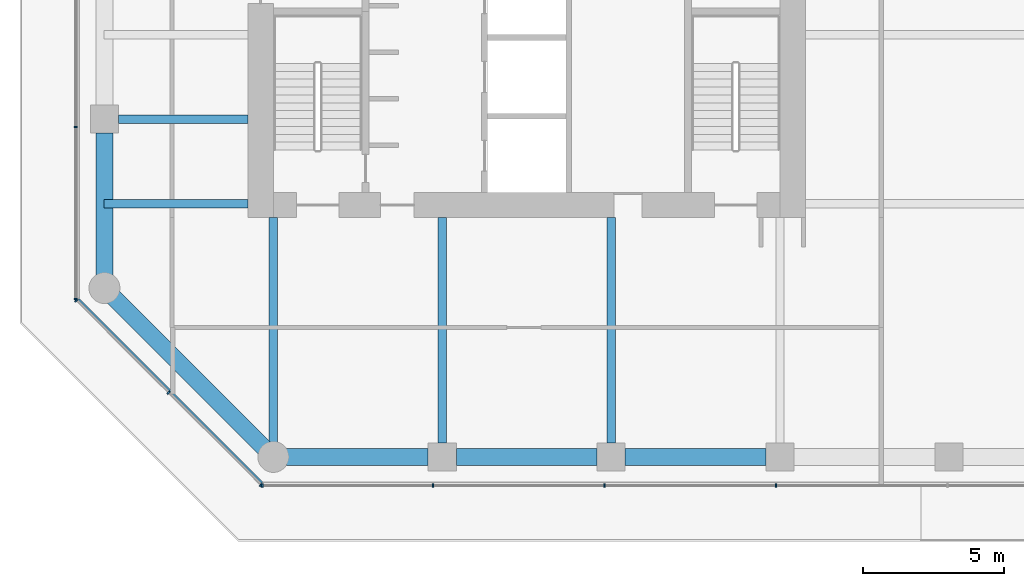
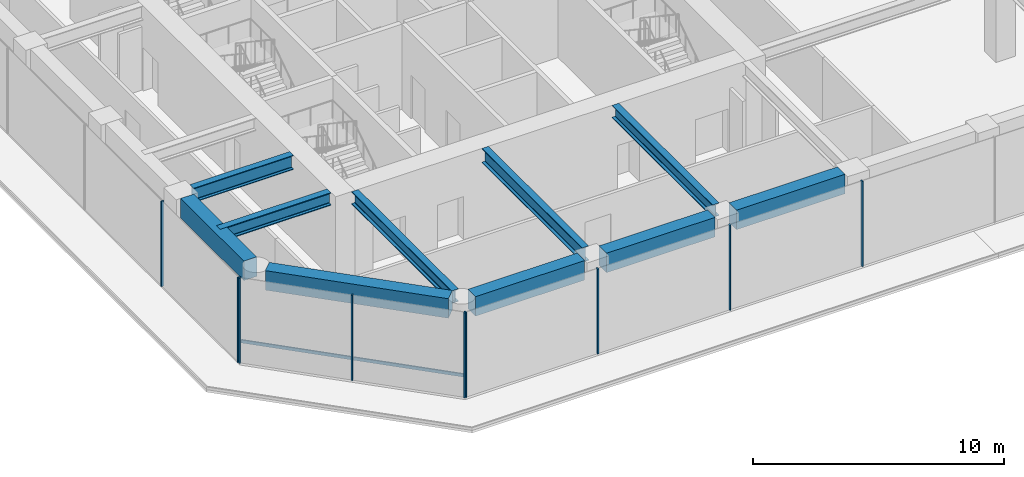
# One storey, part 2 of 24: 10 beams, 10 members, 3 elements without a shape of their own.
"""IFC4 building model written with IfcOpenShell, lengths in metres."""

from ifc_helpers import new_model, si_unit, direction, frame, origin, origin_2d, place, context, subcontext, project, spatial, rectangle, i_section, extrude, material, layer, layer_set, material_profile, profile_set, type_object, element, aggregate, save


model = new_model("IFC4")

# Units and contexts
model_context = context("Model", 3, precision=1e-05, world=origin(), true_north=direction((0.0, 1.0)))
body_context = subcontext(model_context, "Body", "Model", "MODEL_VIEW")
ifc_project = project(units=[si_unit("LENGTHUNIT", "METRE"), si_unit("AREAUNIT", "SQUARE_METRE"), si_unit("VOLUMEUNIT", "CUBIC_METRE"), si_unit("PLANEANGLEUNIT", "RADIAN"), si_unit("MASSUNIT", "GRAM", prefix="KILO")], contexts=[model_context])

# Site, building, storey
site_placement = place(None, origin())
site = spatial("IfcSite", under=ifc_project, at=site_placement, CompositionType="ELEMENT")
building_placement = place(site_placement, origin())
building = spatial("IfcBuilding", under=site, at=building_placement, Name="Welwitschia Terrace Campus", CompositionType="ELEMENT")
storey_placement = place(building_placement, frame((0.0, 0.0, 15.5)))
storey = spatial("IfcBuildingStorey", under=building, at=storey_placement, Name="L03", CompositionType="ELEMENT", Elevation=15.5)

# Beams
ifc_material_1 = material(Name="Steel S355", Category="steel")
ifc_material_profile_1 = material_profile(ifc_material_1, i_section(OverallWidth=0.304931640625, OverallDepth=0.6201171875, WebThickness=0.02099609375, FlangeThickness=0.0400390625, FilletRadius=0.027099609375, at=origin_2d()))
ifc_profile_set_1 = profile_set([ifc_material_profile_1], Name="Steel S355")
beam_type_1 = type_object("IfcBeamType", Name="Interior girder HE 600 M", PredefinedType="BEAM", material=ifc_profile_set_1)
beam_1_placement = place(storey_placement, frame((-0.010009765625, 5.0, 3.840087890625), z_axis=(1.0, 0.0, 0.0), x_axis=(0.0, 1.0, 0.0)))
element("IfcBeam", 1, at=beam_1_placement, inside=storey, type_object=beam_type_1, Name="Girder GB1", PredefinedType="BEAM", context=body_context, shape_type="SweptSolid", body=[
    extrude(i_section(OverallWidth=0.304931640625, OverallDepth=0.6201171875, WebThickness=0.02099609375, FlangeThickness=0.0400390625, FilletRadius=0.027099609375, at=origin_2d()), origin(), (0.0, 0.0, 1.0), 5.109130859375),
])
beam_2_placement = place(storey_placement, frame((6.0, -3.48095703125, 3.840087890625), z_axis=(0.0, 1.0, 0.0), x_axis=(-1.0, 0.0, 0.0)))
element("IfcBeam", 2, at=beam_2_placement, inside=storey, type_object=beam_type_1, Name="Girder GB1", PredefinedType="BEAM", context=body_context, shape_type="SweptSolid", body=[
    extrude(i_section(OverallWidth=0.304931640625, OverallDepth=0.6201171875, WebThickness=0.02099609375, FlangeThickness=0.0400390625, FilletRadius=0.027099609375, at=origin_2d()), origin(), (0.0, 0.0, 1.0), 7.97998046875),
])
beam_3_placement = place(storey_placement, frame((18.0, -3.509521484375, 3.840087890625), z_axis=(0.0, 1.0, 0.0), x_axis=(-1.0, 0.0, 0.0)))
element("IfcBeam", 3, at=beam_3_placement, inside=storey, type_object=beam_type_1, Name="Girder GB1", PredefinedType="BEAM", context=body_context, shape_type="SweptSolid", body=[
    extrude(i_section(OverallWidth=0.304931640625, OverallDepth=0.6201171875, WebThickness=0.02099609375, FlangeThickness=0.0400390625, FilletRadius=0.027099609375, at=origin_2d()), origin(), (0.0, 0.0, 1.0), 8.008544921875),
])

# Curtain wall, members
ifc_material_2 = material(Name="Bronze anodised aluminium", Category="aluminium")
ifc_layer = layer(ifc_material_2, 0.1201171875)
ifc_layer_set = layer_set([ifc_layer], Name="Bronze anodised aluminium")
curtain_wall_type = type_object("IfcCurtainWallType", Name="Curtain wall CW2 tower 6000", PredefinedType="NOTDEFINED", material=ifc_layer_set)
curtain_wall_1_placement = place(storey_placement, origin())
curtain_wall_1 = element("IfcCurtainWall", 4, at=curtain_wall_1_placement, inside=storey, type_object=curtain_wall_type, Name="CW L03.0.0", PredefinedType="NOTDEFINED")
ifc_material_3 = material(Name="Bronze anodised aluminium", Category="aluminium")
ifc_material_profile_2 = material_profile(ifc_material_3, rectangle(XDim=0.1201171875, YDim=0.06005859375, at=origin_2d()))
ifc_profile_set_2 = profile_set([ifc_material_profile_2], Name="Bronze anodised aluminium")
member_type_1 = type_object("IfcMemberType", Name="Mullion 60x120", PredefinedType="MULLION", material=ifc_profile_set_2)
member_1_placement = place(storey_placement, frame((-0.998779296875, 1.556396484375, 0.0), z_axis=(0.0, 0.0, 1.0), x_axis=(0.707106781187, 0.707106781187, 0.0)))
member_1 = element("IfcMember", 5, at=member_1_placement, type_object=member_type_1, Name="Mullion L03.0.0.0", PredefinedType="MULLION", context=body_context, shape_type="SweptSolid", body=[
    extrude(rectangle(XDim=0.1201171875, YDim=0.06005859375, at=origin_2d()), origin(), (0.0, 0.0, 1.0), 4.14990234375),
])
member_2_placement = place(storey_placement, frame((2.27880859375, -1.72119140625, 0.0), z_axis=(0.0, 0.0, 1.0), x_axis=(0.707106781187, 0.707106781187, 0.0)))
member_2 = element("IfcMember", 6, at=member_2_placement, type_object=member_type_1, Name="Mullion L03.0.0.1", PredefinedType="MULLION", context=body_context, shape_type="SweptSolid", body=[
    extrude(rectangle(XDim=0.1201171875, YDim=0.06005859375, at=origin_2d()), origin(), (0.0, 0.0, 1.0), 4.14990234375),
])
member_3_placement = place(storey_placement, frame((5.556396484375, -4.998779296875, 0.0), z_axis=(0.0, 0.0, 1.0), x_axis=(0.707106781187, 0.707106781187, 0.0)))
member_3 = element("IfcMember", 7, at=member_3_placement, type_object=member_type_1, Name="Mullion L03.0.0.2", PredefinedType="MULLION", context=body_context, shape_type="SweptSolid", body=[
    extrude(rectangle(XDim=0.1201171875, YDim=0.06005859375, at=origin_2d()), origin(), (0.0, 0.0, 1.0), 4.14990234375),
])

curtain_wall_2_placement = place(storey_placement, origin())
curtain_wall_2 = element("IfcCurtainWall", 8, at=curtain_wall_2_placement, inside=storey, type_object=curtain_wall_type, Name="CW L03.1.0", PredefinedType="NOTDEFINED")
member_4_placement = place(storey_placement, frame((5.607421875, -5.02001953125, 0.0), z_axis=(0.0, 0.0, 1.0), x_axis=(0.0, 1.0, 0.0)))
member_4 = element("IfcMember", 9, at=member_4_placement, type_object=member_type_1, Name="Mullion L03.1.0.0", PredefinedType="MULLION", context=body_context, shape_type="SweptSolid", body=[
    extrude(rectangle(XDim=0.1201171875, YDim=0.06005859375, at=origin_2d()), origin(), (0.0, 0.0, 1.0), 4.14990234375),
])
member_5_placement = place(storey_placement, frame((11.67138671875, -5.02001953125, 0.0), z_axis=(0.0, 0.0, 1.0), x_axis=(0.0, 1.0, 0.0)))
member_5 = element("IfcMember", 10, at=member_5_placement, type_object=member_type_1, Name="Mullion L03.1.0.1", PredefinedType="MULLION", context=body_context, shape_type="SweptSolid", body=[
    extrude(rectangle(XDim=0.1201171875, YDim=0.06005859375, at=origin_2d()), origin(), (0.0, 0.0, 1.0), 4.14990234375),
])
member_6_placement = place(storey_placement, frame((17.765380859375, -5.02001953125, 0.0), z_axis=(0.0, 0.0, 1.0), x_axis=(0.0, 1.0, 0.0)))
member_6 = element("IfcMember", 11, at=member_6_placement, type_object=member_type_1, Name="Mullion L03.1.0.2", PredefinedType="MULLION", context=body_context, shape_type="SweptSolid", body=[
    extrude(rectangle(XDim=0.1201171875, YDim=0.06005859375, at=origin_2d()), origin(), (0.0, 0.0, 1.0), 4.14990234375),
])
member_7_placement = place(storey_placement, frame((23.859130859375, -5.02001953125, 0.0), z_axis=(0.0, 0.0, 1.0), x_axis=(0.0, 1.0, 0.0)))
member_7 = element("IfcMember", 12, at=member_7_placement, type_object=member_type_1, Name="Mullion L03.1.0.3", PredefinedType="MULLION", context=body_context, shape_type="SweptSolid", body=[
    extrude(rectangle(XDim=0.1201171875, YDim=0.06005859375, at=origin_2d()), origin(), (0.0, 0.0, 1.0), 4.14990234375),
])
aggregate(curtain_wall_2, [member_4, member_5, member_6, member_7])

curtain_wall_3_placement = place(storey_placement, origin())
curtain_wall_3 = element("IfcCurtainWall", 13, at=curtain_wall_3_placement, inside=storey, type_object=curtain_wall_type, Name="CW L03.9.0", PredefinedType="NOTDEFINED")
member_8_placement = place(storey_placement, frame((-1.02001953125, 7.7216796875, 0.0), z_axis=(0.0, 0.0, 1.0), x_axis=(1.0, 0.0, 0.0)))
member_8 = element("IfcMember", 14, at=member_8_placement, type_object=member_type_1, Name="Mullion L03.9.0.9", PredefinedType="MULLION", context=body_context, shape_type="SweptSolid", body=[
    extrude(rectangle(XDim=0.1201171875, YDim=0.06005859375, at=origin_2d()), origin(), (0.0, 0.0, 1.0), 4.14990234375),
])
member_9_placement = place(storey_placement, frame((-1.02001953125, 1.607421875, 0.0), z_axis=(0.0, 0.0, 1.0), x_axis=(1.0, 0.0, 0.0)))
member_9 = element("IfcMember", 15, at=member_9_placement, type_object=member_type_1, Name="Mullion L03.9.0.10", PredefinedType="MULLION", context=body_context, shape_type="SweptSolid", body=[
    extrude(rectangle(XDim=0.1201171875, YDim=0.06005859375, at=origin_2d()), origin(), (0.0, 0.0, 1.0), 4.14990234375),
])
aggregate(curtain_wall_3, [member_8, member_9])

# Beams
ifc_material_4 = material(Name="Steel S355", Category="steel")
ifc_material_profile_3 = material_profile(ifc_material_4, i_section(OverallWidth=0.300048828125, OverallDepth=0.699951171875, WebThickness=0.01708984375, FlangeThickness=0.031982421875, FilletRadius=0.027099609375, at=origin_2d()))
ifc_profile_set_3 = profile_set([ifc_material_profile_3], Name="Steel S355")
beam_type_2 = type_object("IfcBeamType", Name="Primary beam HE 700 B", PredefinedType="BEAM", material=ifc_profile_set_3)
beam_4_placement = place(storey_placement, frame((12.0, -3.49951171875, 3.800048828125), z_axis=(0.0, 1.0, 0.0), x_axis=(-1.0, 0.0, 0.0)))
element("IfcBeam", 16, at=beam_4_placement, inside=storey, type_object=beam_type_2, Name="Primary beam PB1", PredefinedType="BEAM", context=body_context, shape_type="SweptSolid", body=[
    extrude(i_section(OverallWidth=0.300048828125, OverallDepth=0.699951171875, WebThickness=0.01708984375, FlangeThickness=0.031982421875, FilletRadius=0.027099609375, at=origin_2d()), origin(), (0.0, 0.0, 1.0), 7.99951171875),
])
beam_5_placement = place(storey_placement, frame((0.50048828125, 8.0, 3.800048828125), z_axis=(1.0, 0.0, 0.0), x_axis=(0.0, 1.0, 0.0)))
element("IfcBeam", 17, at=beam_5_placement, inside=storey, type_object=beam_type_2, Name="Primary beam PB1", PredefinedType="BEAM", context=body_context, shape_type="SweptSolid", body=[
    extrude(i_section(OverallWidth=0.300048828125, OverallDepth=0.699951171875, WebThickness=0.01708984375, FlangeThickness=0.031982421875, FilletRadius=0.027099609375, at=origin_2d()), origin(), (0.0, 0.0, 1.0), 4.599609375),
])
ifc_material_5 = material(Name="Concrete C60/75", Category="concrete")
ifc_material_profile_4 = material_profile(ifc_material_5, rectangle(XDim=0.60009765625, YDim=0.949951171875, at=origin_2d()))
ifc_profile_set_4 = profile_set([ifc_material_profile_4], Name="Concrete C60/75")
beam_type_3 = type_object("IfcBeamType", Name="Ring spandrel 600x950", PredefinedType="SPANDREL", material=ifc_profile_set_4)
beam_6_placement = place(storey_placement, frame((0.326416015625, 1.673583984375, 3.675048828125), z_axis=(0.707106781187, -0.707106781187, 0.0), x_axis=(0.707106781187, 0.707106781187, 0.0)))
element("IfcBeam", 18, at=beam_6_placement, inside=storey, type_object=beam_type_3, Name="Spandrel SP1", PredefinedType="SPANDREL", context=body_context, shape_type="SweptSolid", body=[
    extrude(rectangle(XDim=0.60009765625, YDim=0.949951171875, at=origin_2d()), origin(), (0.0, 0.0, 1.0), 7.56201171875),
])
beam_7_placement = place(storey_placement, frame((6.46142578125, -4.0, 3.675048828125), z_axis=(1.0, 0.0, 0.0), x_axis=(0.0, 1.0, 0.0)))
element("IfcBeam", 19, at=beam_7_placement, inside=storey, type_object=beam_type_3, Name="Spandrel SP1", PredefinedType="SPANDREL", context=body_context, shape_type="SweptSolid", body=[
    extrude(rectangle(XDim=0.60009765625, YDim=0.949951171875, at=origin_2d()), origin(), (0.0, 0.0, 1.0), 5.0380859375),
])
for number, where, z_axis, x_axis, name in (
    (20, (12.50048828125, -4.0, 3.675048828125), (1.0, 0.0, 0.0), (0.0, 1.0, 0.0), "Spandrel SP1"),
    (21, (18.50048828125, -4.0, 3.675048828125), (1.0, 0.0, 0.0), (0.0, 1.0, 0.0), "Spandrel SP1"),
):
    element("IfcBeam", number, at=place(storey_placement, frame(where, z_axis=z_axis, x_axis=x_axis)), inside=storey, type_object=beam_type_3, Name=name, PredefinedType="SPANDREL", context=body_context, shape_type="SweptSolid", body=[
        extrude(rectangle(XDim=0.60009765625, YDim=0.949951171875, at=origin_2d()), origin(), (0.0, 0.0, 1.0), 4.9990234375),
    ])
beam_8_placement = place(storey_placement, frame((0.0, 7.49951171875, 3.675048828125), z_axis=(0.0, -1.0, 0.0), x_axis=(1.0, 0.0, 0.0)))
element("IfcBeam", 22, at=beam_8_placement, inside=storey, type_object=beam_type_3, Name="Spandrel SP1", PredefinedType="SPANDREL", context=body_context, shape_type="SweptSolid", body=[
    extrude(rectangle(XDim=0.60009765625, YDim=0.949951171875, at=origin_2d()), origin(), (0.0, 0.0, 1.0), 5.0380859375),
])

# Member
ifc_material_6 = material(Name="Bronze anodised aluminium", Category="aluminium")
ifc_material_profile_5 = material_profile(ifc_material_6, rectangle(XDim=0.06005859375, YDim=0.14990234375, at=origin_2d()))
ifc_profile_set_5 = profile_set([ifc_material_profile_5], Name="Bronze anodised aluminium")
member_type_2 = type_object("IfcMemberType", Name="Transom 60x150", PredefinedType="USERDEFINED", material=ifc_profile_set_5)
member_10_placement = place(storey_placement, frame((-0.913818359375, 1.5986328125, 1.0), z_axis=(0.707106781187, -0.707106781187, 0.0), x_axis=(0.707106781187, 0.707106781187, 0.0)))
member_10 = element("IfcMember", 23, at=member_10_placement, type_object=member_type_2, Name="Transom L03.0.0", ObjectType="TRANSOM", PredefinedType="USERDEFINED", context=body_context, shape_type="SweptSolid", body=[
    extrude(rectangle(XDim=0.06005859375, YDim=0.14990234375, at=origin_2d()), origin(), (0.0, 0.0, 1.0), 9.2099609375),
])

aggregate(curtain_wall_1, [member_1, member_2, member_3, member_10])

save(model, "model.ifc")
